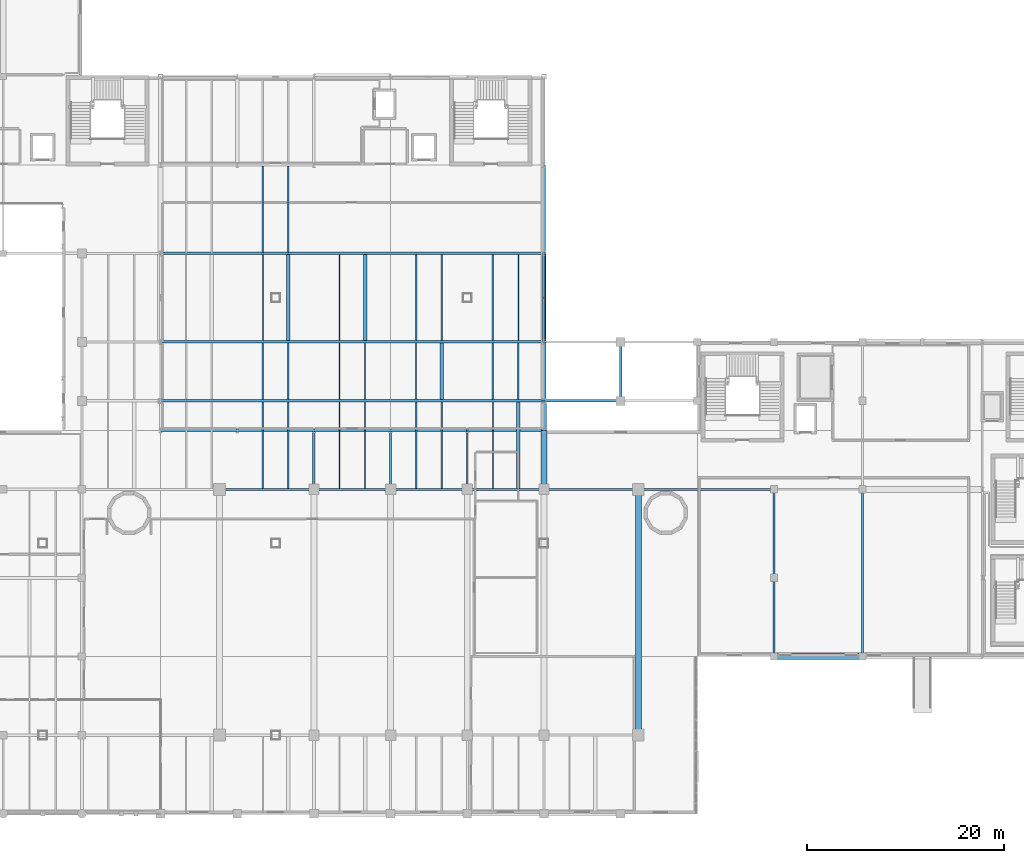
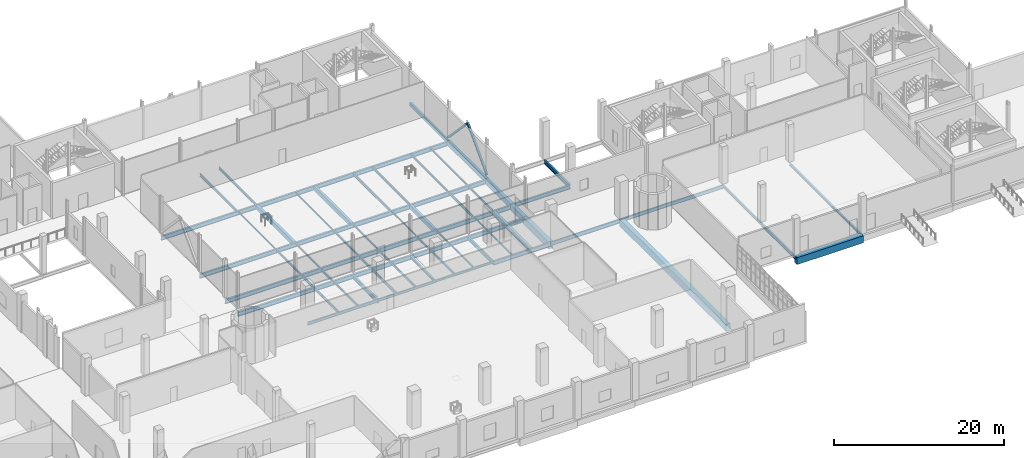
# One storey, part 26 of 57: 51 beams, 2 members.
"""IFC4 building model written with IfcOpenShell, lengths in metres."""

from ifc_helpers import new_model, si_unit, derived_unit, direction, frame, origin, origin_2d, place, context, subcontext, project, spatial, rectangle, hollow_rectangle, i_section, extrude, material, material_profile, profile_set, type_object, element, save


model = new_model("IFC4")

# Units and contexts
model_context = context("Model", 3, precision=1e-05, world=origin(), true_north=direction((0.0, 1.0)))
body_context = subcontext(model_context, "Body", "Model", "MODEL_VIEW")
ifc_project = project(units=[si_unit("LENGTHUNIT", "METRE"), si_unit("AREAUNIT", "SQUARE_METRE"), si_unit("VOLUMEUNIT", "CUBIC_METRE"), si_unit("PLANEANGLEUNIT", "RADIAN"), si_unit("MASSUNIT", "GRAM", prefix="KILO"), derived_unit("THERMALTRANSMITTANCEUNIT", [(si_unit("POWERUNIT", "WATT"), 1), (si_unit("LENGTHUNIT", "METRE"), -2), (si_unit("THERMODYNAMICTEMPERATUREUNIT", "KELVIN"), -1)])], contexts=[model_context])

# Site, building, storey
site_placement = place(None, origin())
site = spatial("IfcSite", under=ifc_project, at=site_placement, CompositionType="ELEMENT")
building_placement = place(site_placement, origin())
building = spatial("IfcBuilding", under=site, at=building_placement, Name="Nallur Shell Playhouse", CompositionType="ELEMENT")
storey_placement = place(building_placement, origin())
storey = spatial("IfcBuildingStorey", under=building, at=storey_placement, Name="L01", CompositionType="ELEMENT", Elevation=0.0)

# Beams
ifc_material_1 = material(Name="Steel E250", Category="steel")
ifc_material_profile_1 = material_profile(ifc_material_1, i_section(OverallWidth=0.110107421875, OverallDepth=0.22509765625, WebThickness=0.006591796875, FlangeThickness=0.01171875, FilletRadius=0.011962890625, at=origin_2d()), Name="ISMB 225")
ifc_profile_set_1 = profile_set([ifc_material_profile_1], Name="Steel E250")
beam_type_1 = type_object("IfcBeamType", Name="BM-JST-ISMB225", PredefinedType="JOIST", material=ifc_profile_set_1)
for number, where, z_axis, x_axis, name in (
    (1, (74.39990234375, 56.123046875, -0.512451171875), (0.0, 1.0, 0.0), (-1.0, 0.0, 0.0), "L01 secondary joist 9-G-275"),
    (2, (82.199951171875, 56.123046875, -0.512451171875), (0.0, 1.0, 0.0), (-1.0, 0.0, 0.0), "L01 secondary joist 10-G-287"),
):
    element("IfcBeam", number, at=place(storey_placement, frame(where, z_axis=z_axis, x_axis=x_axis)), inside=storey, type_object=beam_type_1, Name=name, PredefinedType="JOIST", context=body_context, shape_type="SweptSolid", body=[
        extrude(i_section(OverallWidth=0.110107421875, OverallDepth=0.22509765625, WebThickness=0.006591796875, FlangeThickness=0.01171875, FilletRadius=0.011962890625, at=origin_2d()), origin(), (0.0, 0.0, 1.0), 8.75390625),
    ])
beam_1_placement = place(storey_placement, frame((90.0, 50.123046875, -0.4326171875), z_axis=(0.0, 1.0, 0.0), x_axis=(-1.0, 0.0, 0.0)))
element("IfcBeam", 3, at=beam_1_placement, inside=storey, type_object=beam_type_1, Name="L01 secondary joist 11-F-293", PredefinedType="JOIST", context=body_context, shape_type="SweptSolid", body=[
    extrude(i_section(OverallWidth=0.110107421875, OverallDepth=0.22509765625, WebThickness=0.006591796875, FlangeThickness=0.01171875, FilletRadius=0.011962890625, at=origin_2d()), origin(), (0.0, 0.0, 1.0), 5.75390625),
])
beam_2_placement = place(storey_placement, frame((97.800048828125, 41.10302734375, -0.4326171875), z_axis=(0.0, 1.0, 0.0), x_axis=(-1.0, 0.0, 0.0)))
element("IfcBeam", 4, at=beam_2_placement, inside=storey, type_object=beam_type_1, Name="L01 secondary joist 12-E-299", PredefinedType="JOIST", context=body_context, shape_type="SweptSolid", body=[
    extrude(i_section(OverallWidth=0.110107421875, OverallDepth=0.22509765625, WebThickness=0.006591796875, FlangeThickness=0.01171875, FilletRadius=0.011962890625, at=origin_2d()), origin(), (0.0, 0.0, 1.0), 8.77392578125),
])
ifc_material_profile_2 = material_profile(ifc_material_1, i_section(OverallWidth=0.125, OverallDepth=0.25, WebThickness=0.0068359375, FlangeThickness=0.012451171875, FilletRadius=0.012939453125, at=origin_2d()), Name="ISMB 250")
ifc_profile_set_2 = profile_set([ifc_material_profile_2], Name="Steel E250")
beam_type_2 = type_object("IfcBeamType", Name="BM-JST-ISMB250", PredefinedType="JOIST", material=ifc_profile_set_2)
for number, where, z_axis, x_axis, name in (
    (5, (77.0, 50.123046875, -0.52490234375), (0.0, 1.0, 0.0), (-1.0, 0.0, 0.0), "L01 secondary joist 9-F-274"),
    (6, (84.800048828125, 50.123046875, -0.52490234375), (0.0, 1.0, 0.0), (-1.0, 0.0, 0.0), "L01 secondary joist 10-F-286"),
):
    element("IfcBeam", number, at=place(storey_placement, frame(where, z_axis=z_axis, x_axis=x_axis)), inside=storey, type_object=beam_type_2, Name=name, PredefinedType="JOIST", context=body_context, shape_type="SweptSolid", body=[
        extrude(i_section(OverallWidth=0.125, OverallDepth=0.25, WebThickness=0.0068359375, FlangeThickness=0.012451171875, FilletRadius=0.012939453125, at=origin_2d()), origin(), (0.0, 0.0, 1.0), 5.75390625),
    ])
beam_3_placement = place(storey_placement, frame((92.60009765625, 41.097900390625, -0.445068359375), z_axis=(0.0, 1.0, 0.0), x_axis=(-1.0, 0.0, 0.0)))
element("IfcBeam", 7, at=beam_3_placement, inside=storey, type_object=beam_type_2, Name="L01 secondary joist 11-E-292", PredefinedType="JOIST", context=body_context, shape_type="SweptSolid", body=[
    extrude(i_section(OverallWidth=0.125, OverallDepth=0.25, WebThickness=0.0068359375, FlangeThickness=0.012451171875, FilletRadius=0.012939453125, at=origin_2d()), origin(), (0.0, 0.0, 1.0), 8.779052734375),
])
beam_4_placement = place(storey_placement, frame((100.39990234375, 56.123046875, -0.445068359375), z_axis=(0.0, 1.0, 0.0), x_axis=(-1.0, 0.0, 0.0)))
element("IfcBeam", 8, at=beam_4_placement, inside=storey, type_object=beam_type_2, Name="L01 secondary joist 12-G-304", PredefinedType="JOIST", context=body_context, shape_type="SweptSolid", body=[
    extrude(i_section(OverallWidth=0.125, OverallDepth=0.25, WebThickness=0.0068359375, FlangeThickness=0.012451171875, FilletRadius=0.012939453125, at=origin_2d()), origin(), (0.0, 0.0, 1.0), 8.75390625),
])
ifc_material_profile_3 = material_profile(ifc_material_1, i_section(OverallWidth=0.139892578125, OverallDepth=0.300048828125, WebThickness=0.0078125, FlangeThickness=0.01318359375, FilletRadius=0.013916015625, at=origin_2d()), Name="ISMB 300")
ifc_profile_set_3 = profile_set([ifc_material_profile_3], Name="Steel E250")
beam_type_3 = type_object("IfcBeamType", Name="BM-JST-ISMB300", PredefinedType="JOIST", material=ifc_profile_set_3)
for number, where, z_axis, x_axis, name in (
    (9, (74.39990234375, 50.123046875, -0.550048828125), (0.0, 1.0, 0.0), (-1.0, 0.0, 0.0), "L01 secondary joist 9-F-273"),
    (10, (82.199951171875, 50.123046875, -0.550048828125), (0.0, 1.0, 0.0), (-1.0, 0.0, 0.0), "L01 secondary joist 10-F-285"),
):
    element("IfcBeam", number, at=place(storey_placement, frame(where, z_axis=z_axis, x_axis=x_axis)), inside=storey, type_object=beam_type_3, Name=name, PredefinedType="JOIST", context=body_context, shape_type="SweptSolid", body=[
        extrude(i_section(OverallWidth=0.139892578125, OverallDepth=0.300048828125, WebThickness=0.0078125, FlangeThickness=0.01318359375, FilletRadius=0.013916015625, at=origin_2d()), origin(), (0.0, 0.0, 1.0), 5.75390625),
    ])
beam_5_placement = place(storey_placement, frame((90.0, 41.097900390625, -0.469970703125), z_axis=(0.0, 1.0, 0.0), x_axis=(-1.0, 0.0, 0.0)))
element("IfcBeam", 11, at=beam_5_placement, inside=storey, type_object=beam_type_3, Name="L01 secondary joist 11-E-291", PredefinedType="JOIST", context=body_context, shape_type="SweptSolid", body=[
    extrude(i_section(OverallWidth=0.139892578125, OverallDepth=0.300048828125, WebThickness=0.0078125, FlangeThickness=0.01318359375, FilletRadius=0.013916015625, at=origin_2d()), origin(), (0.0, 0.0, 1.0), 8.779052734375),
])
beam_6_placement = place(storey_placement, frame((97.800048828125, 56.123046875, -0.469970703125), z_axis=(0.0, 1.0, 0.0), x_axis=(-1.0, 0.0, 0.0)))
element("IfcBeam", 12, at=beam_6_placement, inside=storey, type_object=beam_type_3, Name="L01 secondary joist 12-G-303", PredefinedType="JOIST", context=body_context, shape_type="SweptSolid", body=[
    extrude(i_section(OverallWidth=0.139892578125, OverallDepth=0.300048828125, WebThickness=0.0078125, FlangeThickness=0.01318359375, FilletRadius=0.013916015625, at=origin_2d()), origin(), (0.0, 0.0, 1.0), 8.75390625),
])
ifc_material_profile_4 = material_profile(ifc_material_1, i_section(OverallWidth=0.139892578125, OverallDepth=0.35009765625, WebThickness=0.008056640625, FlangeThickness=0.01416015625, FilletRadius=0.013916015625, at=origin_2d()), Name="ISMB 350")
ifc_profile_set_4 = profile_set([ifc_material_profile_4], Name="Steel E250")
beam_type_4 = type_object("IfcBeamType", Name="BM-JST-ISMB350", PredefinedType="JOIST", material=ifc_profile_set_4)
beam_7_placement = place(storey_placement, frame((77.0, 41.097900390625, -0.574951171875), z_axis=(0.0, 1.0, 0.0), x_axis=(-1.0, 0.0, 0.0)))
element("IfcBeam", 13, at=beam_7_placement, inside=storey, type_object=beam_type_4, Name="L01 secondary joist 9-E-272", PredefinedType="JOIST", context=body_context, shape_type="SweptSolid", body=[
    extrude(i_section(OverallWidth=0.139892578125, OverallDepth=0.35009765625, WebThickness=0.008056640625, FlangeThickness=0.01416015625, FilletRadius=0.013916015625, at=origin_2d()), origin(), (0.0, 0.0, 1.0), 8.779052734375),
])
beam_8_placement = place(storey_placement, frame((77.0, 65.123046875, -0.574951171875), z_axis=(0.0, 1.0, 0.0), x_axis=(-1.0, 0.0, 0.0)))
element("IfcBeam", 14, at=beam_8_placement, inside=storey, type_object=beam_type_4, Name="L01 secondary joist 9-H-278", PredefinedType="JOIST", context=body_context, shape_type="SweptSolid", body=[
    extrude(i_section(OverallWidth=0.139892578125, OverallDepth=0.35009765625, WebThickness=0.008056640625, FlangeThickness=0.01416015625, FilletRadius=0.013916015625, at=origin_2d()), origin(), (0.0, 0.0, 1.0), 8.77392578125),
])
beam_9_placement = place(storey_placement, frame((84.800048828125, 41.097900390625, -0.574951171875), z_axis=(0.0, 1.0, 0.0), x_axis=(-1.0, 0.0, 0.0)))
element("IfcBeam", 15, at=beam_9_placement, inside=storey, type_object=beam_type_4, Name="L01 secondary joist 10-E-284", PredefinedType="JOIST", context=body_context, shape_type="SweptSolid", body=[
    extrude(i_section(OverallWidth=0.139892578125, OverallDepth=0.35009765625, WebThickness=0.008056640625, FlangeThickness=0.01416015625, FilletRadius=0.013916015625, at=origin_2d()), origin(), (0.0, 0.0, 1.0), 8.779052734375),
])
beam_10_placement = place(storey_placement, frame((92.60009765625, 56.123046875, -0.4951171875), z_axis=(0.0, 1.0, 0.0), x_axis=(-1.0, 0.0, 0.0)))
element("IfcBeam", 16, at=beam_10_placement, inside=storey, type_object=beam_type_4, Name="L01 secondary joist 11-G-296", PredefinedType="JOIST", context=body_context, shape_type="SweptSolid", body=[
    extrude(i_section(OverallWidth=0.139892578125, OverallDepth=0.35009765625, WebThickness=0.008056640625, FlangeThickness=0.01416015625, FilletRadius=0.013916015625, at=origin_2d()), origin(), (0.0, 0.0, 1.0), 8.75390625),
])
beam_11_placement = place(storey_placement, frame((100.39990234375, 50.123046875, -0.4951171875), z_axis=(0.0, 1.0, 0.0), x_axis=(-1.0, 0.0, 0.0)))
element("IfcBeam", 17, at=beam_11_placement, inside=storey, type_object=beam_type_4, Name="L01 secondary joist 12-F-302", PredefinedType="JOIST", context=body_context, shape_type="SweptSolid", body=[
    extrude(i_section(OverallWidth=0.139892578125, OverallDepth=0.35009765625, WebThickness=0.008056640625, FlangeThickness=0.01416015625, FilletRadius=0.013916015625, at=origin_2d()), origin(), (0.0, 0.0, 1.0), 5.75390625),
])
ifc_material_profile_5 = material_profile(ifc_material_1, i_section(OverallWidth=0.139892578125, OverallDepth=0.39990234375, WebThickness=0.0087890625, FlangeThickness=0.01611328125, FilletRadius=0.013916015625, at=origin_2d()), Name="ISMB 400")
ifc_profile_set_5 = profile_set([ifc_material_profile_5], Name="Steel E250")
beam_type_5 = type_object("IfcBeamType", Name="BM-JST-ISMB400", PredefinedType="JOIST", material=ifc_profile_set_5)
beam_12_placement = place(storey_placement, frame((74.39990234375, 41.097900390625, -0.60009765625), z_axis=(0.0, 1.0, 0.0), x_axis=(-1.0, 0.0, 0.0)))
element("IfcBeam", 18, at=beam_12_placement, inside=storey, type_object=beam_type_5, Name="L01 secondary joist 9-E-271", PredefinedType="JOIST", context=body_context, shape_type="SweptSolid", body=[
    extrude(i_section(OverallWidth=0.139892578125, OverallDepth=0.39990234375, WebThickness=0.0087890625, FlangeThickness=0.01611328125, FilletRadius=0.013916015625, at=origin_2d()), origin(), (0.0, 0.0, 1.0), 8.779052734375),
])
beam_13_placement = place(storey_placement, frame((74.39990234375, 65.123046875, -0.60009765625), z_axis=(0.0, 1.0, 0.0), x_axis=(-1.0, 0.0, 0.0)))
element("IfcBeam", 19, at=beam_13_placement, inside=storey, type_object=beam_type_5, Name="L01 secondary joist 9-H-277", PredefinedType="JOIST", context=body_context, shape_type="SweptSolid", body=[
    extrude(i_section(OverallWidth=0.139892578125, OverallDepth=0.39990234375, WebThickness=0.0087890625, FlangeThickness=0.01611328125, FilletRadius=0.013916015625, at=origin_2d()), origin(), (0.0, 0.0, 1.0), 8.77392578125),
])
beam_14_placement = place(storey_placement, frame((82.199951171875, 41.097900390625, -0.60009765625), z_axis=(0.0, 1.0, 0.0), x_axis=(-1.0, 0.0, 0.0)))
element("IfcBeam", 20, at=beam_14_placement, inside=storey, type_object=beam_type_5, Name="L01 secondary joist 10-E-283", PredefinedType="JOIST", context=body_context, shape_type="SweptSolid", body=[
    extrude(i_section(OverallWidth=0.139892578125, OverallDepth=0.39990234375, WebThickness=0.0087890625, FlangeThickness=0.01611328125, FilletRadius=0.013916015625, at=origin_2d()), origin(), (0.0, 0.0, 1.0), 8.779052734375),
])
beam_15_placement = place(storey_placement, frame((90.0, 56.123046875, -0.52001953125), z_axis=(0.0, 1.0, 0.0), x_axis=(-1.0, 0.0, 0.0)))
element("IfcBeam", 21, at=beam_15_placement, inside=storey, type_object=beam_type_5, Name="L01 secondary joist 11-G-295", PredefinedType="JOIST", context=body_context, shape_type="SweptSolid", body=[
    extrude(i_section(OverallWidth=0.139892578125, OverallDepth=0.39990234375, WebThickness=0.0087890625, FlangeThickness=0.01611328125, FilletRadius=0.013916015625, at=origin_2d()), origin(), (0.0, 0.0, 1.0), 8.75390625),
])
beam_16_placement = place(storey_placement, frame((97.800048828125, 50.123046875, -0.52001953125), z_axis=(0.0, 1.0, 0.0), x_axis=(-1.0, 0.0, 0.0)))
element("IfcBeam", 22, at=beam_16_placement, inside=storey, type_object=beam_type_5, Name="L01 secondary joist 12-F-301", PredefinedType="JOIST", context=body_context, shape_type="SweptSolid", body=[
    extrude(i_section(OverallWidth=0.139892578125, OverallDepth=0.39990234375, WebThickness=0.0087890625, FlangeThickness=0.01611328125, FilletRadius=0.013916015625, at=origin_2d()), origin(), (0.0, 0.0, 1.0), 5.75390625),
])
ifc_material_2 = material(Name="Concrete M30", Category="concrete")
ifc_material_profile_6 = material_profile(ifc_material_2, rectangle(XDim=0.35009765625, YDim=0.60009765625, at=origin_2d()), Name="RC 350x600")
ifc_profile_set_6 = profile_set([ifc_material_profile_6], Name="Concrete M30")
beam_type_6 = type_object("IfcBeamType", Name="BM-RC-350x600", PredefinedType="JOIST", material=ifc_profile_set_6)
for number, where, z_axis, x_axis, name in (
    (23, (77.0, 56.123046875, -0.699951171875), (0.0, 1.0, 0.0), (-1.0, 0.0, 0.0), "L01 secondary joist 9-G-276"),
    (24, (84.800048828125, 56.123046875, -0.699951171875), (0.0, 1.0, 0.0), (-1.0, 0.0, 0.0), "L01 secondary joist 10-G-288"),
):
    element("IfcBeam", number, at=place(storey_placement, frame(where, z_axis=z_axis, x_axis=x_axis)), inside=storey, type_object=beam_type_6, Name=name, PredefinedType="JOIST", context=body_context, shape_type="SweptSolid", body=[
        extrude(rectangle(XDim=0.35009765625, YDim=0.60009765625, at=origin_2d()), origin(), (0.0, 0.0, 1.0), 8.75390625),
    ])
beam_17_placement = place(storey_placement, frame((92.60009765625, 50.123046875, -0.6201171875), z_axis=(0.0, 1.0, 0.0), x_axis=(-1.0, 0.0, 0.0)))
element("IfcBeam", 25, at=beam_17_placement, inside=storey, type_object=beam_type_6, Name="L01 secondary joist 11-F-294", PredefinedType="JOIST", context=body_context, shape_type="SweptSolid", body=[
    extrude(rectangle(XDim=0.35009765625, YDim=0.60009765625, at=origin_2d()), origin(), (0.0, 0.0, 1.0), 5.75390625),
])
beam_18_placement = place(storey_placement, frame((100.39990234375, 41.10302734375, -0.6201171875), z_axis=(0.0, 1.0, 0.0), x_axis=(-1.0, 0.0, 0.0)))
element("IfcBeam", 26, at=beam_18_placement, inside=storey, type_object=beam_type_6, Name="L01 secondary joist 12-E-300", PredefinedType="JOIST", context=body_context, shape_type="SweptSolid", body=[
    extrude(rectangle(XDim=0.35009765625, YDim=0.60009765625, at=origin_2d()), origin(), (0.0, 0.0, 1.0), 8.77392578125),
])
ifc_material_3 = material(Name="Concrete M35", Category="concrete")
ifc_material_profile_7 = material_profile(ifc_material_3, rectangle(XDim=0.39990234375, YDim=0.64990234375, at=origin_2d()), Name="RC 400x650")
ifc_profile_set_7 = profile_set([ifc_material_profile_7], Name="Concrete M35")
beam_type_7 = type_object("IfcBeamType", Name="BM-RC-400x650", PredefinedType="BEAM", material=ifc_profile_set_7)
beam_19_placement = place(storey_placement, frame((103.0, 56.0, -0.64501953125), z_axis=(0.0, 1.0, 0.0), x_axis=(-1.0, 0.0, 0.0)))
element("IfcBeam", 27, at=beam_19_placement, inside=storey, type_object=beam_type_7, Name="L01 girder Y-13-159", PredefinedType="BEAM", context=body_context, shape_type="SweptSolid", body=[
    extrude(rectangle(XDim=0.39990234375, YDim=0.64990234375, at=origin_2d()), origin(), (0.0, 0.0, 1.0), 9.0),
])
ifc_material_profile_8 = material_profile(ifc_material_3, rectangle(XDim=0.449951171875, YDim=0.75, at=origin_2d()), Name="RC 450x750")
ifc_profile_set_8 = profile_set([ifc_material_profile_8], Name="Concrete M35")
beam_type_8 = type_object("IfcBeamType", Name="BM-RC-450x750", PredefinedType="BEAM", material=ifc_profile_set_8)
beam_20_placement = place(storey_placement, frame((103.0, 50.0, -0.695068359375), z_axis=(0.0, 1.0, 0.0), x_axis=(-1.0, 0.0, 0.0)))
element("IfcBeam", 28, at=beam_20_placement, inside=storey, type_object=beam_type_8, Name="L01 girder Y-13-158", PredefinedType="BEAM", context=body_context, shape_type="SweptSolid", body=[
    extrude(rectangle(XDim=0.449951171875, YDim=0.75, at=origin_2d()), origin(), (0.0, 0.0, 1.0), 6.0),
])
ifc_material_4 = material(Name="Concrete M40", Category="concrete")
ifc_material_profile_9 = material_profile(ifc_material_4, rectangle(XDim=0.5, YDim=0.85009765625, at=origin_2d()), Name="RC 500x850")
ifc_profile_set_9 = profile_set([ifc_material_profile_9], Name="Concrete M40")
beam_type_9 = type_object("IfcBeamType", Name="BM-RC-500x850", PredefinedType="BEAM", material=ifc_profile_set_9)
beam_21_placement = place(storey_placement, frame((103.0, 47.0, -0.7451171875), z_axis=(0.0, 1.0, 0.0), x_axis=(-1.0, 0.0, 0.0)))
element("IfcBeam", 29, at=beam_21_placement, inside=storey, type_object=beam_type_9, Name="L01 girder Y-13-157", PredefinedType="BEAM", context=body_context, shape_type="SweptSolid", body=[
    extrude(rectangle(XDim=0.5, YDim=0.85009765625, at=origin_2d()), origin(), (0.0, 0.0, 1.0), 3.0),
])
ifc_material_profile_10 = material_profile(ifc_material_4, rectangle(XDim=0.60009765625, YDim=1.0, at=origin_2d()), Name="RC 600x1000")
ifc_profile_set_10 = profile_set([ifc_material_profile_10], Name="Concrete M40")
beam_type_10 = type_object("IfcBeamType", Name="BM-RC-600x1000", PredefinedType="BEAM", material=ifc_profile_set_10)
beam_22_placement = place(storey_placement, frame((126.39990234375, 24.0, -0.820068359375), z_axis=(1.0, 0.0, 0.0), x_axis=(0.0, 1.0, 0.0)))
element("IfcBeam", 30, at=beam_22_placement, inside=storey, type_object=beam_type_10, Name="L01 girder X-C-28", PredefinedType="BEAM", context=body_context, shape_type="SweptSolid", body=[
    extrude(rectangle(XDim=0.60009765625, YDim=1.0, at=origin_2d()), origin(), (0.0, 0.0, 1.0), 9.0),
])
beam_23_placement = place(storey_placement, frame((103.0, 41.0, -0.820068359375), z_axis=(0.0, 1.0, 0.0), x_axis=(-1.0, 0.0, 0.0)))
element("IfcBeam", 31, at=beam_23_placement, inside=storey, type_object=beam_type_10, Name="L01 girder Y-13-156", PredefinedType="BEAM", context=body_context, shape_type="SweptSolid", body=[
    extrude(rectangle(XDim=0.60009765625, YDim=1.0, at=origin_2d()), origin(), (0.0, 0.0, 1.0), 6.0),
])
beam_24_placement = place(storey_placement, frame((112.60009765625, 16.0, -0.820068359375), z_axis=(0.0, 1.0, 0.0), x_axis=(-1.0, 0.0, 0.0)))
element("IfcBeam", 32, at=beam_24_placement, inside=storey, type_object=beam_type_10, Name="L01 girder Y-MC6-179", PredefinedType="BEAM", context=body_context, shape_type="SweptSolid", body=[
    extrude(rectangle(XDim=0.60009765625, YDim=1.0, at=origin_2d()), origin(), (0.0, 0.0, 1.0), 25.0),
])
ifc_material_profile_11 = material_profile(ifc_material_3, rectangle(XDim=0.300048828125, YDim=0.449951171875, at=origin_2d()), Name="RC 300x450")
ifc_profile_set_11 = profile_set([ifc_material_profile_11], Name="Concrete M35")
beam_type_11 = type_object("IfcBeamType", Name="BM-SPN-300x450", PredefinedType="SPANDREL", material=ifc_profile_set_11)
beam_25_placement = place(storey_placement, frame((103.0, 65.0, -0.544921875), z_axis=(0.0, 1.0, 0.0), x_axis=(-1.0, 0.0, 0.0)))
element("IfcBeam", 33, at=beam_25_placement, inside=storey, type_object=beam_type_11, Name="L01 girder Y-13-160", PredefinedType="SPANDREL", context=body_context, shape_type="SweptSolid", body=[
    extrude(rectangle(XDim=0.300048828125, YDim=0.449951171875, at=origin_2d()), origin(), (0.0, 0.0, 1.0), 9.0),
])
ifc_material_5 = material(Name="Steel E350", Category="steel")
ifc_material_profile_12 = material_profile(ifc_material_5, i_section(OverallWidth=0.179931640625, OverallDepth=0.5, WebThickness=0.01025390625, FlangeThickness=0.01708984375, FilletRadius=0.01708984375, at=origin_2d()), Name="ISMB 500")
ifc_profile_set_12 = profile_set([ifc_material_profile_12], Name="Steel E350")
beam_type_12 = type_object("IfcBeamType", Name="BM-ST-ISMB500", PredefinedType="BEAM", material=ifc_profile_set_12)
beam_26_placement = place(storey_placement, frame((112.60009765625, 41.0, -0.570068359375), z_axis=(1.0, 0.0, 0.0), x_axis=(0.0, 1.0, 0.0)))
element("IfcBeam", 34, at=beam_26_placement, inside=storey, type_object=beam_type_12, Name="L01 girder X-E-42", PredefinedType="BEAM", context=body_context, shape_type="SweptSolid", body=[
    extrude(i_section(OverallWidth=0.179931640625, OverallDepth=0.5, WebThickness=0.01025390625, FlangeThickness=0.01708984375, FilletRadius=0.01708984375, at=origin_2d()), origin(), (0.0, 0.0, 1.0), 13.7998046875),
])
ifc_material_profile_13 = material_profile(ifc_material_5, i_section(OverallWidth=0.18994140625, OverallDepth=0.550048828125, WebThickness=0.01123046875, FlangeThickness=0.019287109375, FilletRadius=0.01806640625, at=origin_2d()), Name="ISMB 550")
ifc_profile_set_13 = profile_set([ifc_material_profile_13], Name="Steel E350")
beam_type_13 = type_object("IfcBeamType", Name="BM-ST-ISMB550", PredefinedType="BEAM", material=ifc_profile_set_13)
beam_27_placement = place(storey_placement, frame((103.0, 41.0, -0.594970703125), z_axis=(1.0, 0.0, 0.0), x_axis=(0.0, 1.0, 0.0)))
element("IfcBeam", 35, at=beam_27_placement, inside=storey, type_object=beam_type_13, Name="L01 girder X-E-41", PredefinedType="BEAM", context=body_context, shape_type="SweptSolid", body=[
    extrude(i_section(OverallWidth=0.18994140625, OverallDepth=0.550048828125, WebThickness=0.01123046875, FlangeThickness=0.019287109375, FilletRadius=0.01806640625, at=origin_2d()), origin(), (0.0, 0.0, 1.0), 9.60009765625),
])
beam_28_placement = place(storey_placement, frame((95.199951171875, 41.0, -0.594970703125), z_axis=(0.0, 1.0, 0.0), x_axis=(-1.0, 0.0, 0.0)))
element("IfcBeam", 36, at=beam_28_placement, inside=storey, type_object=beam_type_13, Name="L01 girder Y-12-153", PredefinedType="BEAM", context=body_context, shape_type="SweptSolid", body=[
    extrude(i_section(OverallWidth=0.18994140625, OverallDepth=0.550048828125, WebThickness=0.01123046875, FlangeThickness=0.019287109375, FilletRadius=0.01806640625, at=origin_2d()), origin(), (0.0, 0.0, 1.0), 6.0),
])
ifc_material_profile_14 = material_profile(ifc_material_5, i_section(OverallWidth=0.2099609375, OverallDepth=0.60009765625, WebThickness=0.011962890625, FlangeThickness=0.020751953125, FilletRadius=0.02001953125, at=origin_2d()), Name="ISMB 600")
ifc_profile_set_14 = profile_set([ifc_material_profile_14], Name="Steel E350")
beam_type_14 = type_object("IfcBeamType", Name="BM-ST-ISMB600", PredefinedType="BEAM", material=ifc_profile_set_14)
beam_29_placement = place(storey_placement, frame((95.199951171875, 41.0, -0.6201171875), z_axis=(1.0, 0.0, 0.0), x_axis=(0.0, 1.0, 0.0)))
element("IfcBeam", 37, at=beam_29_placement, inside=storey, type_object=beam_type_14, Name="L01 girder X-E-40", PredefinedType="BEAM", context=body_context, shape_type="SweptSolid", body=[
    extrude(i_section(OverallWidth=0.2099609375, OverallDepth=0.60009765625, WebThickness=0.011962890625, FlangeThickness=0.020751953125, FilletRadius=0.02001953125, at=origin_2d()), origin(), (0.0, 0.0, 1.0), 7.800048828125),
])
ifc_material_profile_15 = material_profile(ifc_material_1, i_section(OverallWidth=0.199951171875, OverallDepth=0.300048828125, WebThickness=0.00732421875, FlangeThickness=0.010009765625, FilletRadius=0.010986328125, at=origin_2d()), Name="ISWB 300")
ifc_profile_set_15 = profile_set([ifc_material_profile_15], Name="Steel E250")
beam_type_15 = type_object("IfcBeamType", Name="BM-ST-ISWB300", PredefinedType="BEAM", material=ifc_profile_set_15)
beam_30_placement = place(storey_placement, frame((87.39990234375, 41.0, -0.469970703125), z_axis=(1.0, 0.0, 0.0), x_axis=(0.0, 1.0, 0.0)))
element("IfcBeam", 38, at=beam_30_placement, inside=storey, type_object=beam_type_15, Name="L01 girder X-E-39", PredefinedType="BEAM", context=body_context, shape_type="SweptSolid", body=[
    extrude(i_section(OverallWidth=0.199951171875, OverallDepth=0.300048828125, WebThickness=0.00732421875, FlangeThickness=0.010009765625, FilletRadius=0.010986328125, at=origin_2d()), origin(), (0.0, 0.0, 1.0), 7.800048828125),
])
ifc_material_profile_16 = material_profile(ifc_material_5, i_section(OverallWidth=0.199951171875, OverallDepth=0.35009765625, WebThickness=0.008056640625, FlangeThickness=0.011474609375, FilletRadius=0.011962890625, at=origin_2d()), Name="ISWB 350")
ifc_profile_set_16 = profile_set([ifc_material_profile_16], Name="Steel E350")
beam_type_16 = type_object("IfcBeamType", Name="BM-ST-ISWB350", PredefinedType="BEAM", material=ifc_profile_set_16)
beam_31_placement = place(storey_placement, frame((79.60009765625, 41.0, -0.4951171875), z_axis=(1.0, 0.0, 0.0), x_axis=(0.0, 1.0, 0.0)))
element("IfcBeam", 39, at=beam_31_placement, inside=storey, type_object=beam_type_16, Name="L01 girder X-E-38", PredefinedType="BEAM", context=body_context, shape_type="SweptSolid", body=[
    extrude(i_section(OverallWidth=0.199951171875, OverallDepth=0.35009765625, WebThickness=0.008056640625, FlangeThickness=0.011474609375, FilletRadius=0.011962890625, at=origin_2d()), origin(), (0.0, 0.0, 1.0), 7.7998046875),
])
beam_32_placement = place(storey_placement, frame((87.39990234375, 41.0, -0.574951171875), z_axis=(0.0, 1.0, 0.0), x_axis=(-1.0, 0.0, 0.0)))
element("IfcBeam", 40, at=beam_32_placement, inside=storey, type_object=beam_type_16, Name="L01 girder Y-11-150", PredefinedType="BEAM", context=body_context, shape_type="SweptSolid", body=[
    extrude(i_section(OverallWidth=0.199951171875, OverallDepth=0.35009765625, WebThickness=0.008056640625, FlangeThickness=0.011474609375, FilletRadius=0.011962890625, at=origin_2d()), origin(), (0.0, 0.0, 1.0), 5.876953125),
])
beam_33_placement = place(storey_placement, frame((135.39990234375, 24.0, -0.4951171875), z_axis=(0.0, 1.0, 0.0), x_axis=(-1.0, 0.0, 0.0)))
element("IfcBeam", 41, at=beam_33_placement, inside=storey, type_object=beam_type_16, Name="L01 girder Y-17-166", PredefinedType="BEAM", context=body_context, shape_type="SweptSolid", body=[
    extrude(i_section(OverallWidth=0.199951171875, OverallDepth=0.35009765625, WebThickness=0.008056640625, FlangeThickness=0.011474609375, FilletRadius=0.011962890625, at=origin_2d()), origin(), (0.0, 0.0, 1.0), 17.0),
])
ifc_material_profile_17 = material_profile(ifc_material_5, i_section(OverallWidth=0.199951171875, OverallDepth=0.39990234375, WebThickness=0.008544921875, FlangeThickness=0.012939453125, FilletRadius=0.012939453125, at=origin_2d()), Name="ISWB 400")
ifc_profile_set_17 = profile_set([ifc_material_profile_17], Name="Steel E350")
beam_type_17 = type_object("IfcBeamType", Name="BM-ST-ISWB400", PredefinedType="BEAM", material=ifc_profile_set_17)
beam_34_placement = place(storey_placement, frame((70.0, 41.0, -0.52001953125), z_axis=(1.0, 0.0, 0.0), x_axis=(0.0, 1.0, 0.0)))
element("IfcBeam", 42, at=beam_34_placement, inside=storey, type_object=beam_type_17, Name="L01 girder X-E-37", PredefinedType="BEAM", context=body_context, shape_type="SweptSolid", body=[
    extrude(i_section(OverallWidth=0.199951171875, OverallDepth=0.39990234375, WebThickness=0.008544921875, FlangeThickness=0.012939453125, FilletRadius=0.012939453125, at=origin_2d()), origin(), (0.0, 0.0, 1.0), 9.60009765625),
])
beam_35_placement = place(storey_placement, frame((126.39990234375, 32.0, -0.52001953125), z_axis=(0.0, 1.0, 0.0), x_axis=(-1.0, 0.0, 0.0)))
element("IfcBeam", 43, at=beam_35_placement, inside=storey, type_object=beam_type_17, Name="L01 girder Y-16-165", PredefinedType="BEAM", context=body_context, shape_type="SweptSolid", body=[
    extrude(i_section(OverallWidth=0.199951171875, OverallDepth=0.39990234375, WebThickness=0.008544921875, FlangeThickness=0.012939453125, FilletRadius=0.012939453125, at=origin_2d()), origin(), (0.0, 0.0, 1.0), 9.0),
])
ifc_material_profile_18 = material_profile(ifc_material_5, i_section(OverallWidth=0.199951171875, OverallDepth=0.449951171875, WebThickness=0.00927734375, FlangeThickness=0.015380859375, FilletRadius=0.013916015625, at=origin_2d()), Name="ISWB 450")
ifc_profile_set_18 = profile_set([ifc_material_profile_18], Name="Steel E350")
beam_type_18 = type_object("IfcBeamType", Name="BM-ST-ISWB450", PredefinedType="BEAM", material=ifc_profile_set_18)
beam_36_placement = place(storey_placement, frame((126.39990234375, 24.0, -0.544921875), z_axis=(0.0, 1.0, 0.0), x_axis=(-1.0, 0.0, 0.0)))
element("IfcBeam", 44, at=beam_36_placement, inside=storey, type_object=beam_type_18, Name="L01 girder Y-16-164", PredefinedType="BEAM", context=body_context, shape_type="SweptSolid", body=[
    extrude(i_section(OverallWidth=0.199951171875, OverallDepth=0.449951171875, WebThickness=0.00927734375, FlangeThickness=0.015380859375, FilletRadius=0.013916015625, at=origin_2d()), origin(), (0.0, 0.0, 1.0), 8.0),
])
ifc_material_profile_19 = material_profile(ifc_material_5, i_section(OverallWidth=0.25, OverallDepth=0.550048828125, WebThickness=0.010498046875, FlangeThickness=0.017578125, FilletRadius=0.01611328125, at=origin_2d()), Name="ISWB 550")
ifc_profile_set_19 = profile_set([ifc_material_profile_19], Name="Steel E350")
beam_type_19 = type_object("IfcBeamType", Name="BM-ST-ISWB550", PredefinedType="BEAM", material=ifc_profile_set_19)
beam_37_placement = place(storey_placement, frame((103.0, 50.0, -0.594970703125), z_axis=(1.0, 0.0, 0.0), x_axis=(0.0, 1.0, 0.0)))
element("IfcBeam", 45, at=beam_37_placement, inside=storey, type_object=beam_type_19, Name="L01 girder X-F-50", PredefinedType="BEAM", context=body_context, shape_type="SweptSolid", body=[
    extrude(i_section(OverallWidth=0.25, OverallDepth=0.550048828125, WebThickness=0.010498046875, FlangeThickness=0.017578125, FilletRadius=0.01611328125, at=origin_2d()), origin(), (0.0, 0.0, 1.0), 7.800048828125),
])
beam_38_placement = place(storey_placement, frame((79.60009765625, 41.0, -0.675048828125), z_axis=(0.0, 1.0, 0.0), x_axis=(-1.0, 0.0, 0.0)))
element("IfcBeam", 46, at=beam_38_placement, inside=storey, type_object=beam_type_19, Name="L01 girder Y-10-146", PredefinedType="BEAM", context=body_context, shape_type="SweptSolid", body=[
    extrude(i_section(OverallWidth=0.25, OverallDepth=0.550048828125, WebThickness=0.010498046875, FlangeThickness=0.017578125, FilletRadius=0.01611328125, at=origin_2d()), origin(), (0.0, 0.0, 1.0), 5.876953125),
])
beam_39_placement = place(storey_placement, frame((110.800048828125, 50.0, -0.594970703125), z_axis=(0.0, 1.0, 0.0), x_axis=(-1.0, 0.0, 0.0)))
element("IfcBeam", 47, at=beam_39_placement, inside=storey, type_object=beam_type_19, Name="L01 girder Y-14-162", PredefinedType="BEAM", context=body_context, shape_type="SweptSolid", body=[
    extrude(i_section(OverallWidth=0.25, OverallDepth=0.550048828125, WebThickness=0.010498046875, FlangeThickness=0.017578125, FilletRadius=0.01611328125, at=origin_2d()), origin(), (0.0, 0.0, 1.0), 6.0),
])
ifc_material_profile_20 = material_profile(ifc_material_5, i_section(OverallWidth=0.25, OverallDepth=0.60009765625, WebThickness=0.01171875, FlangeThickness=0.023681640625, FilletRadius=0.01708984375, at=origin_2d()), Name="ISWB 600")
ifc_profile_set_20 = profile_set([ifc_material_profile_20], Name="Steel E350")
beam_type_20 = type_object("IfcBeamType", Name="BM-ST-ISWB600", PredefinedType="BEAM", material=ifc_profile_set_20)
for number, where, z_axis, x_axis, name in (
    (48, (64.0, 47.0, -0.699951171875), (1.0, 0.0, 0.0), (0.0, 1.0, 0.0), "L01 long-span hall girder Y=47.0-182"),
    (49, (64.0, 50.0, -0.699951171875), (1.0, 0.0, 0.0), (0.0, 1.0, 0.0), "L01 long-span hall girder Y=50.0-183"),
    (50, (64.0, 56.0, -0.699951171875), (1.0, 0.0, 0.0), (0.0, 1.0, 0.0), "L01 long-span hall girder Y=56.0-184"),
    (51, (64.0, 65.0, -0.699951171875), (1.0, 0.0, 0.0), (0.0, 1.0, 0.0), "L01 long-span hall girder Y=65.0-185"),
):
    element("IfcBeam", number, at=place(storey_placement, frame(where, z_axis=z_axis, x_axis=x_axis)), inside=storey, type_object=beam_type_20, Name=name, PredefinedType="BEAM", context=body_context, shape_type="SweptSolid", body=[
        extrude(i_section(OverallWidth=0.25, OverallDepth=0.60009765625, WebThickness=0.01171875, FlangeThickness=0.023681640625, FilletRadius=0.01708984375, at=origin_2d()), origin(), (0.0, 0.0, 1.0), 39.0),
    ])

# Members
ifc_material_profile_21 = material_profile(ifc_material_5, hollow_rectangle(XDim=0.25, YDim=0.25, WallThickness=0.011962890625, at=origin_2d()), Name="SHS 250x250x12")
ifc_profile_set_21 = profile_set([ifc_material_profile_21], Name="Steel E350")
member_type = type_object("IfcMemberType", Name="MB-FT-BRACE1", PredefinedType="BRACE", material=ifc_profile_set_21)
for number, where, z_axis, x_axis, name in (
    (52, (103.0, 56.0, 0.14990234375), (0.0, 0.690021521301, 0.723788850523), (-1.0, 0.0, 0.0), "Stage fly tower concentric brace BR-FT-L01-003"),
    (53, (103.0, 65.0, 0.14990234375), (0.0, -0.690021521301, 0.723788850523), (1.0, 0.0, 0.0), "Stage fly tower concentric brace BR-FT-L01-004"),
):
    element("IfcMember", number, at=place(storey_placement, frame(where, z_axis=z_axis, x_axis=x_axis)), inside=storey, type_object=member_type, Name=name, PredefinedType="BRACE", context=body_context, shape_type="SweptSolid", body=[
        extrude(hollow_rectangle(XDim=0.25, YDim=0.25, WallThickness=0.011962890625, at=origin_2d()), origin(), (0.0, 0.0, 1.0), 6.521484375),
    ])

save(model, "model.ifc")
